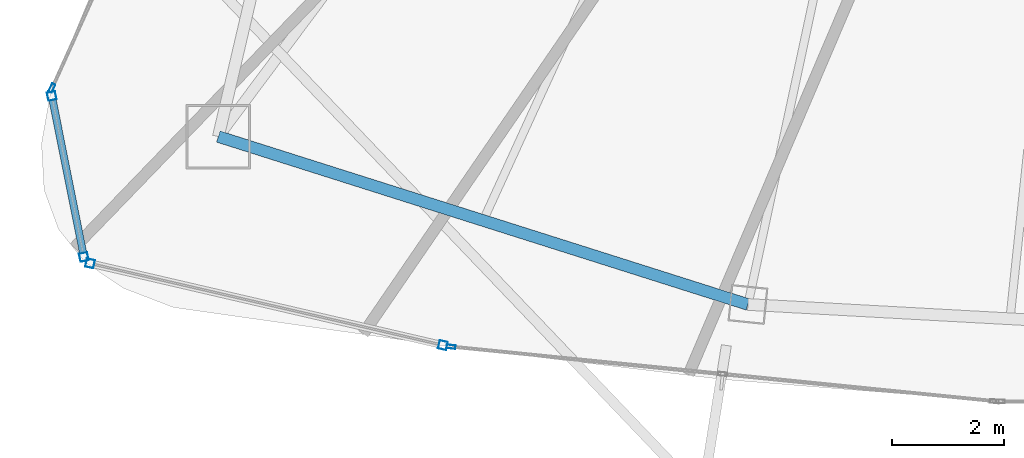
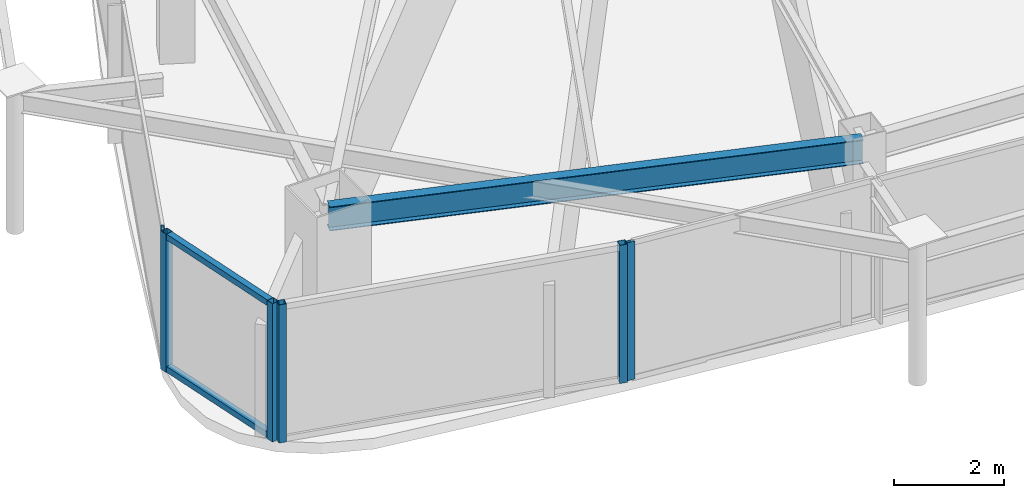
# One storey, part 2 of 28: 8 members, 1 beam, 4 elements without a shape of their own.
"""IFC4 building model written with IfcOpenShell, lengths in metres."""

import ifcopenshell
import ifcopenshell.guid

model = None  # the IFC model being written
_history = None  # IfcOwnerHistory: only IFC2X3 demands one
_inside = {}  # id of a spatial element -> (the spatial element, [elements in it])
_under = {}  # id of a project, library or spatial element -> (it, [spatial elements below it])
_declared = {}  # id of a project -> (the project, [libraries it declares])
_typed = {}  # id of a type object -> (the type object, [elements of that type])
_made_of = {}  # id of a material, layer set ... -> (it, [elements and type objects made of it])


def new_model(schema):
    """Start an empty IFC model of exactly this schema.

    Asked for "IFC4X3", IfcOpenShell would pick the latest addendum, in which some entities
    have other attributes; the version numbers below select the first issue.
    IFC2X3 requires an IfcOwnerHistory on every rooted entity: one is made here for all.
    """
    global model, _history
    if schema == "IFC4X3":
        model = ifcopenshell.file(schema_version=(4, 3, 0, 0))
    else:
        model = ifcopenshell.file(schema=schema)
    _inside.clear()
    _under.clear()
    _declared.clear()
    _typed.clear()
    _made_of.clear()
    _history = None
    if model.schema == "IFC2X3":
        org = make("IfcOrganization", Name="unknown")
        user = make(
            "IfcPersonAndOrganization",
            ThePerson=make("IfcPerson", FamilyName="unknown"),
            TheOrganization=org,
        )
        app = make(
            "IfcApplication",
            ApplicationDeveloper=org,
            Version="unknown",
            ApplicationFullName="unknown",
            ApplicationIdentifier="unknown",
        )
        _history = make(
            "IfcOwnerHistory",
            OwningUser=user,
            OwningApplication=app,
            ChangeAction="ADDED",
            CreationDate=0,
        )
    return model


def make(cls, **values):
    """One entity of the class cls with the attributes given. An attribute that is None is left unset."""
    return model.create_entity(
        cls, **{name: value for name, value in values.items() if value is not None}
    )


def rooted(cls, **values):
    """An entity with a GlobalId (a new one), such as an element, a storey or a relation."""
    return make(cls, GlobalId=ifcopenshell.guid.new(), OwnerHistory=_history, **values)


def si_unit(unit_type, name, prefix=None):
    """IfcSIUnit, for example si_unit("LENGTHUNIT", "METRE", prefix="MILLI")."""
    return make("IfcSIUnit", UnitType=unit_type, Prefix=prefix, Name=name)


def assignment(units):
    """IfcUnitAssignment: the units of a project."""
    return None if units is None else make("IfcUnitAssignment", Units=units)


def point(xyz):
    """IfcCartesianPoint."""
    return None if xyz is None else make("IfcCartesianPoint", Coordinates=xyz)


def direction(xyz):
    """IfcDirection."""
    return None if xyz is None else make("IfcDirection", DirectionRatios=xyz)


def frame(location, z_axis=None, x_axis=None):
    """IfcAxis2Placement3D, a coordinate frame: its origin and axes. An axis left out is left unset."""
    return make(
        "IfcAxis2Placement3D",
        Location=point(location),
        Axis=direction(z_axis),
        RefDirection=direction(x_axis),
    )


def frame_2d(location, x_axis=None):
    """IfcAxis2Placement2D, a coordinate frame in the plane: its origin and x axis."""
    return make(
        "IfcAxis2Placement2D", Location=point(location), RefDirection=direction(x_axis)
    )


def origin():
    """The frame at (0, 0, 0) with its axes left unset."""
    return frame((0.0, 0.0, 0.0))


def origin_2d():
    """The frame at (0, 0) in the plane with its x axis left unset."""
    return frame_2d((0.0, 0.0))


def place(relative_to, where):
    """IfcLocalPlacement: puts the frame where relative to a parent placement (None: the world)."""
    return make(
        "IfcLocalPlacement", PlacementRelTo=relative_to, RelativePlacement=where
    )


def context(
    kind, dimensions, precision=None, world=None, true_north=None, identifier=None
):
    """IfcGeometricRepresentationContext, for example the 3D "Model" context."""
    return make(
        "IfcGeometricRepresentationContext",
        ContextIdentifier=identifier,
        ContextType=kind,
        CoordinateSpaceDimension=dimensions,
        Precision=precision,
        WorldCoordinateSystem=world,
        TrueNorth=true_north,
    )


def subcontext(parent, identifier, kind, view, scale=None):
    """IfcGeometricRepresentationSubContext, for example "Body" below "Model"."""
    return make(
        "IfcGeometricRepresentationSubContext",
        ContextIdentifier=identifier,
        ContextType=kind,
        ParentContext=parent,
        TargetScale=scale,
        TargetView=view,
    )


def project(units=None, contexts=None):
    """IfcProject with its units and contexts."""
    return rooted(
        "IfcProject",
        Name="project",
        RepresentationContexts=contexts,
        UnitsInContext=assignment(units),
    )


def spatial(cls, under=None, at=None, **own):
    """A site, building, storey or space (cls), placed at a placement, below another one or the project."""
    s = rooted(cls, ObjectPlacement=at, **own)
    if under is not None:
        _under.setdefault(under.id(), (under, []))[1].append(s)
    return s


def profile(cls, at=None, kind="AREA", **sizes):
    """A parametric profile (cls). Its sizes go by their IFC names, for example OverallWidth=200.0."""
    return make(cls, ProfileType=kind, Position=at, **sizes)


def hollow_rectangle(**sizes):
    """IfcRectangleHollowProfileDef."""
    return profile("IfcRectangleHollowProfileDef", **sizes)


def i_section(**sizes):
    """IfcIShapeProfileDef."""
    return profile("IfcIShapeProfileDef", **sizes)


def extrude(swept, where, along, depth):
    """IfcExtrudedAreaSolid: the profile swept, set in the frame where, extruded along a direction by depth."""
    return make(
        "IfcExtrudedAreaSolid",
        SweptArea=swept,
        Position=where,
        ExtrudedDirection=direction(along),
        Depth=depth,
    )


def shape(context_of_items, identifier, shape_type, items):
    """IfcShapeRepresentation: the items that make up one representation, for example the "Body"."""
    return make(
        "IfcShapeRepresentation",
        ContextOfItems=context_of_items,
        RepresentationIdentifier=identifier,
        RepresentationType=shape_type,
        Items=items,
    )


def material(Name=None, Category=None):
    """IfcMaterial."""
    return make("IfcMaterial", Name=Name, Category=Category)


def layer(
    of_material, thickness, ventilated=None, Name=None, Category=None, Priority=None
):
    """IfcMaterialLayer: one layer of a wall or slab, of a material (None: an air gap)."""
    return make(
        "IfcMaterialLayer",
        Material=of_material,
        LayerThickness=thickness,
        IsVentilated=ventilated,
        Name=Name,
        Category=Category,
        Priority=Priority,
    )


def layer_set(layers, Name=None):
    """IfcMaterialLayerSet."""
    return make("IfcMaterialLayerSet", MaterialLayers=layers, LayerSetName=Name)


def material_profile(
    of_material, cross_section, Name=None, Category=None, Priority=None
):
    """IfcMaterialProfile: a cross section and its material."""
    return make(
        "IfcMaterialProfile",
        Name=Name,
        Material=of_material,
        Profile=cross_section,
        Priority=Priority,
        Category=Category,
    )


def profile_set(profiles, Name=None, composite=None):
    """IfcMaterialProfileSet."""
    return make(
        "IfcMaterialProfileSet",
        Name=Name,
        MaterialProfiles=profiles,
        CompositeProfile=composite,
    )


def made_of(thing, what):
    """Note that an element or type object is made of a material, layer set ...; save() writes the relation."""
    if what is not None:
        _made_of.setdefault(what.id(), (what, []))[1].append(thing)
    return thing


def type_object(cls, material=None, **own):
    """A type object (cls), such as IfcWallType, which elements share."""
    return made_of(rooted(cls, **own), material)


def element(
    cls,
    number,
    at=None,
    inside=None,
    cuts=None,
    type_object=None,
    material=None,
    context=None,
    identifier="Body",
    shape_type=None,
    held_by="IfcProductDefinitionShape",
    body=None,
    shapes=None,
    **own,
):
    """One element of the class cls, such as IfcWall. Its Tag is "e" and its number.

    at: its placement. inside: the storey or other place that contains it. cuts: it is an
    opening in that element (IfcRelVoidsElement). A single representation is given by context,
    identifier, shape_type and body (its items); several are given by shapes. held_by: the class
    of the entity that holds the representations. save() writes the other relations.
    """
    e = rooted(cls, Tag="e%d" % number, ObjectPlacement=at, **own)
    if body is not None:
        shapes = [shape(context, identifier, shape_type, body)]
    if shapes is not None:
        e.Representation = make(held_by, Representations=shapes)
    if inside is not None:
        _inside.setdefault(inside.id(), (inside, []))[1].append(e)
    if cuts is not None:
        rooted(
            "IfcRelVoidsElement", RelatingBuildingElement=cuts, RelatedOpeningElement=e
        )
    if type_object is not None:
        _typed.setdefault(type_object.id(), (type_object, []))[1].append(e)
    return made_of(e, material)


def aggregate(whole, parts):
    """IfcRelAggregates: a whole, such as a stair, and the parts it consists of."""
    return rooted("IfcRelAggregates", RelatingObject=whole, RelatedObjects=parts)


def save(model, path):
    """Write the relations noted so far, then the file.

    IfcRelAggregates (storeys below a building ...), IfcRelContainedInSpatialStructure (elements
    in a storey), IfcRelDefinesByType, IfcRelAssociatesMaterial and IfcRelDeclares: one each for
    every whole, place, type object, material and project.
    """
    for whole, parts in _under.values():
        aggregate(whole, parts)
    for where, things in _inside.values():
        rooted(
            "IfcRelContainedInSpatialStructure",
            RelatedElements=things,
            RelatingStructure=where,
        )
    for kind, things in _typed.values():
        rooted("IfcRelDefinesByType", RelatedObjects=things, RelatingType=kind)
    for what, things in _made_of.values():
        rooted("IfcRelAssociatesMaterial", RelatedObjects=things, RelatingMaterial=what)
    for by, libraries in _declared.values():
        rooted("IfcRelDeclares", RelatingContext=by, RelatedDefinitions=libraries)
    model.write(path)


model = new_model("IFC4")

# Units and contexts
model_context = context("Model", 3, precision=1e-05, world=origin(), true_north=direction((0.0, 1.0)))
body_context = subcontext(model_context, "Body", "Model", "MODEL_VIEW")
ifc_project = project(units=[si_unit("LENGTHUNIT", "METRE"), si_unit("AREAUNIT", "SQUARE_METRE"), si_unit("VOLUMEUNIT", "CUBIC_METRE"), si_unit("PLANEANGLEUNIT", "RADIAN"), si_unit("MASSUNIT", "GRAM", prefix="KILO")], contexts=[model_context])

# Site, building, storey
site_placement = place(None, origin())
site = spatial("IfcSite", under=ifc_project, at=site_placement, CompositionType="ELEMENT")
building_placement = place(site_placement, origin())
building = spatial("IfcBuilding", under=site, at=building_placement, Name="Orvanel Arch Residences", CompositionType="ELEMENT")
storey_placement = place(building_placement, frame((0.0, 0.0, 266.75)))
storey = spatial("IfcBuildingStorey", under=building, at=storey_placement, Name="L76", CompositionType="ELEMENT", Elevation=266.75)

# Curtain wall, members
ifc_material_1 = material(Name="Bronze-anodised aluminium AA6063-T6", Category="aluminium")
ifc_layer_1 = layer(ifc_material_1, 0.18994140625)
ifc_layer_set_1 = layer_set([ifc_layer_1], Name="Bronze-anodised aluminium AA6063-T6")
curtain_wall_type_1 = type_object("IfcCurtainWallType", Name="CW5-CRN-SYS", PredefinedType="NOTDEFINED", material=ifc_layer_set_1)
curtain_wall_1_placement = place(storey_placement, origin())
curtain_wall_1 = element("IfcCurtainWall", 1, at=curtain_wall_1_placement, inside=storey, type_object=curtain_wall_type_1, Name="L76 CW5-CRN-SYS Unitised Curtain Wall", PredefinedType="NOTDEFINED")
ifc_material_profile_1 = material_profile(ifc_material_1, hollow_rectangle(XDim=0.14990234375, YDim=0.14990234375, WallThickness=0.0048828125, at=origin_2d()), Name="ALU150x150x5")
ifc_profile_set_1 = profile_set([ifc_material_profile_1], Name="Bronze-anodised aluminium AA6063-T6")
member_type_1 = type_object("IfcMemberType", Name="MUL-150x150", PredefinedType="MULLION", material=ifc_profile_set_1)
member_1_placement = place(storey_placement, frame((11.2265625, 11.074462890625, 0.0), z_axis=(0.0, 0.0, 1.0), x_axis=(0.980692959243, 0.195553879253, 0.0)))
member_1 = element("IfcMember", 2, at=member_1_placement, type_object=member_type_1, Name="CW-S5 mullion 1", PredefinedType="MULLION", context=body_context, shape_type="SweptSolid", body=[
    extrude(hollow_rectangle(XDim=0.14990234375, YDim=0.14990234375, WallThickness=0.0048828125, at=origin_2d()), origin(), (0.0, 0.0, 1.0), 3.06005859375),
])
member_2_placement = place(storey_placement, frame((11.79931640625, 8.20263671875, 0.0), z_axis=(0.0, 0.0, 1.0), x_axis=(0.980692959243, 0.195553879253, 0.0)))
member_2 = element("IfcMember", 3, at=member_2_placement, type_object=member_type_1, Name="CW-S5 mullion 2", PredefinedType="MULLION", context=body_context, shape_type="SweptSolid", body=[
    extrude(hollow_rectangle(XDim=0.14990234375, YDim=0.14990234375, WallThickness=0.0048828125, at=origin_2d()), origin(), (0.0, 0.0, 1.0), 3.06005859375),
])

curtain_wall_2_placement = place(storey_placement, origin())
curtain_wall_2 = element("IfcCurtainWall", 4, at=curtain_wall_2_placement, inside=storey, type_object=curtain_wall_type_1, Name="L76 CW5-CRN-SYS Unitised Curtain Wall", PredefinedType="NOTDEFINED")
member_3_placement = place(storey_placement, frame((11.91015625, 8.087158203125, 0.0), z_axis=(0.0, 0.0, 1.0), x_axis=(0.225919598226, 0.974145951661, 0.0)))
member_3 = element("IfcMember", 5, at=member_3_placement, type_object=member_type_1, Name="CW-S5 mullion 1", PredefinedType="MULLION", context=body_context, shape_type="SweptSolid", body=[
    extrude(hollow_rectangle(XDim=0.14990234375, YDim=0.14990234375, WallThickness=0.0048828125, at=origin_2d()), origin(), (0.0, 0.0, 1.0), 3.06005859375),
])
member_4_placement = place(storey_placement, frame((18.2060546875, 6.626953125, 0.0), z_axis=(0.0, 0.0, 1.0), x_axis=(0.225919598226, 0.974145951661, 0.0)))
member_4 = element("IfcMember", 6, at=member_4_placement, type_object=member_type_1, Name="CW-S5 mullion 2", PredefinedType="MULLION", context=body_context, shape_type="SweptSolid", body=[
    extrude(hollow_rectangle(XDim=0.14990234375, YDim=0.14990234375, WallThickness=0.0048828125, at=origin_2d()), origin(), (0.0, 0.0, 1.0), 3.06005859375),
])
aggregate(curtain_wall_2, [member_3, member_4])

# Curtain wall, member
ifc_layer_2 = layer(ifc_material_1, 0.175048828125)
ifc_layer_set_2 = layer_set([ifc_layer_2], Name="Bronze-anodised aluminium AA6063-T6")
curtain_wall_type_2 = type_object("IfcCurtainWallType", Name="CW4-HI-SYS", PredefinedType="NOTDEFINED", material=ifc_layer_set_2)
curtain_wall_3_placement = place(storey_placement, origin())
curtain_wall_3 = element("IfcCurtainWall", 7, at=curtain_wall_3_placement, inside=storey, type_object=curtain_wall_type_2, Name="L76 CW4-HI-SYS Unitised Curtain Wall", PredefinedType="NOTDEFINED")
ifc_material_profile_2 = material_profile(ifc_material_1, hollow_rectangle(XDim=0.06494140625, YDim=0.159912109375, WallThickness=0.00390625, at=origin_2d()), Name="ALU160x65x4")
ifc_profile_set_2 = profile_set([ifc_material_profile_2], Name="Bronze-anodised aluminium AA6063-T6")
member_type_2 = type_object("IfcMemberType", Name="MUL-160x65", PredefinedType="MULLION", material=ifc_profile_set_2)
member_5_placement = place(storey_placement, frame((11.229248046875, 11.215576171875, 0.0), z_axis=(0.0, 0.0, 1.0), x_axis=(0.912050087349, -0.410078819456, 0.0)))
member_5 = element("IfcMember", 8, at=member_5_placement, type_object=member_type_2, Name="CW-S4 mullion 3", PredefinedType="MULLION", context=body_context, shape_type="SweptSolid", body=[
    extrude(hollow_rectangle(XDim=0.06494140625, YDim=0.159912109375, WallThickness=0.00390625, at=origin_2d()), origin(), (0.0, 0.0, 1.0), 3.06005859375),
])
aggregate(curtain_wall_3, [member_5])

curtain_wall_4_placement = place(storey_placement, origin())
curtain_wall_4 = element("IfcCurtainWall", 9, at=curtain_wall_4_placement, inside=storey, type_object=curtain_wall_type_2, Name="L76 CW4-HI-SYS Unitised Curtain Wall", PredefinedType="NOTDEFINED")
member_6_placement = place(storey_placement, frame((18.350341796875, 6.599853515625, 0.0), z_axis=(0.0, 0.0, 1.0), x_axis=(0.099796405352, 0.995007878099, 0.0)))
member_6 = element("IfcMember", 10, at=member_6_placement, type_object=member_type_2, Name="CW-S4 mullion 1", PredefinedType="MULLION", context=body_context, shape_type="SweptSolid", body=[
    extrude(hollow_rectangle(XDim=0.06494140625, YDim=0.159912109375, WallThickness=0.00390625, at=origin_2d()), origin(), (0.0, 0.0, 1.0), 3.06005859375),
])
aggregate(curtain_wall_4, [member_6])

# Beam
ifc_material_2 = material(Name="Structural steel AS/NZS 3679.1 Grade 300 (300 MPa)", Category="steel")
ifc_material_profile_3 = material_profile(ifc_material_2, i_section(OverallWidth=0.208984375, OverallDepth=0.532958984375, WebThickness=0.01025390625, FlangeThickness=0.015625, at=origin_2d()), Name="530UB92.4")
ifc_profile_set_3 = profile_set([ifc_material_profile_3], Name="Structural steel AS/NZS 3679.1 Grade 300 (300 MPa)")
beam_type = type_object("IfcBeamType", Name="SP-530UB", PredefinedType="SPANDREL", material=ifc_profile_set_3)
beam_placement = place(storey_placement, frame((14.198974609375, 10.35107421875, 2.79296875), z_axis=(0.953237386592, -0.302222574941, 0.0), x_axis=(0.302222574941, 0.953237386592, 0.0)))
element("IfcBeam", 11, at=beam_placement, inside=storey, type_object=beam_type, Name="L76 Perimeter Spandrel Beam 02", PredefinedType="SPANDREL", context=body_context, shape_type="SweptSolid", body=[
    extrude(i_section(OverallWidth=0.208984375, OverallDepth=0.532958984375, WebThickness=0.01025390625, FlangeThickness=0.015625, at=origin_2d()), origin(), (0.0, 0.0, 1.0), 9.91357421875),
])

# Member
ifc_material_profile_4 = material_profile(ifc_material_1, hollow_rectangle(XDim=0.1298828125, YDim=0.1298828125, WallThickness=0.00439453125, at=origin_2d()), Name="ALU130x130x4.5")
ifc_profile_set_4 = profile_set([ifc_material_profile_4], Name="Bronze-anodised aluminium AA6063-T6")
member_type_3 = type_object("IfcMemberType", Name="TRN-130x130", PredefinedType="USERDEFINED", material=ifc_profile_set_4)
member_7_placement = place(storey_placement, frame((11.241455078125, 11.0009765625, 0.06494140625), z_axis=(0.195507775885, -0.980702151302, 0.0), x_axis=(0.980702151302, 0.195507775885, 0.0)))
member_7 = element("IfcMember", 12, at=member_7_placement, type_object=member_type_3, Name="CW-S5 transom 1.1", ObjectType="TRANSOM", PredefinedType="USERDEFINED", context=body_context, shape_type="SweptSolid", body=[
    extrude(hollow_rectangle(XDim=0.1298828125, YDim=0.1298828125, WallThickness=0.00439453125, at=origin_2d()), origin(), (0.0, 0.0, 1.0), 2.778564453125),
])

member_8_placement = place(storey_placement, frame((11.241455078125, 11.0009765625, 2.9951171875), z_axis=(0.195507775885, -0.980702151302, 0.0), x_axis=(0.980702151302, 0.195507775885, 0.0)))
member_8 = element("IfcMember", 13, at=member_8_placement, type_object=member_type_3, Name="CW-S5 transom 1.2", ObjectType="TRANSOM", PredefinedType="USERDEFINED", context=body_context, shape_type="SweptSolid", body=[
    extrude(hollow_rectangle(XDim=0.1298828125, YDim=0.1298828125, WallThickness=0.00439453125, at=origin_2d()), origin(), (0.0, 0.0, 1.0), 2.778564453125),
])

aggregate(curtain_wall_1, [member_1, member_2, member_7, member_8])

save(model, "model.ifc")
